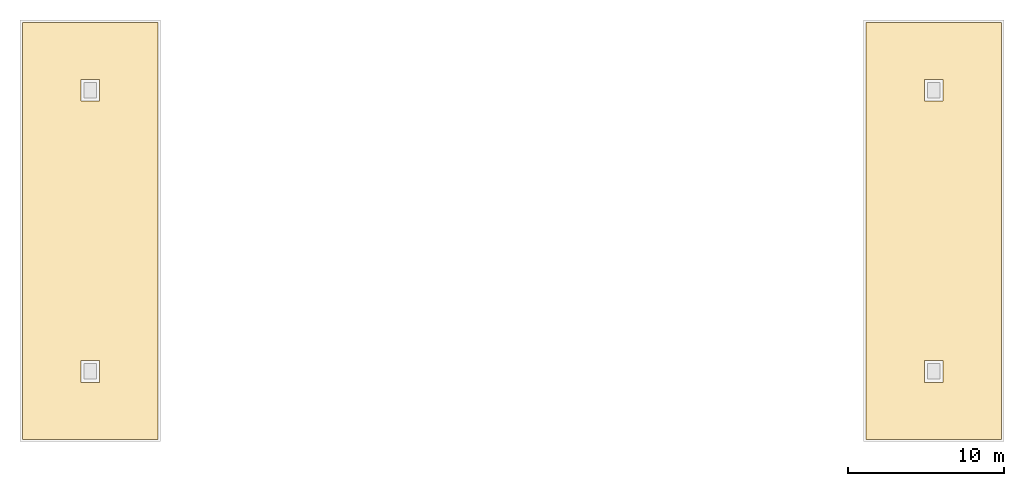
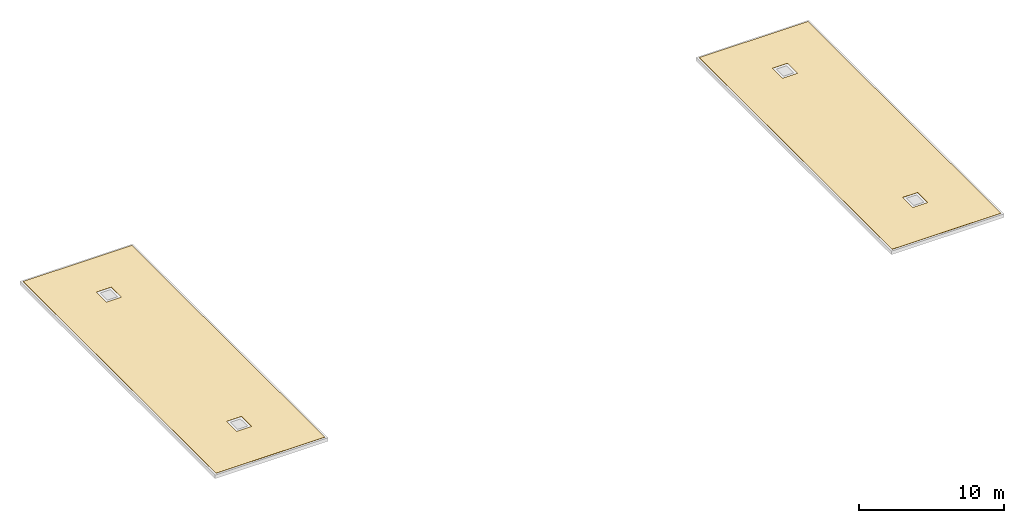
# One storey, part 2 of 2: 2 coverings.
"""IFC4 building model written with IfcOpenShell, lengths in metres."""

from ifc_helpers import new_model, si_unit, direction, frame, origin, place, context, subcontext, project, spatial, polyline, outline, extrude, material, layer, layer_set, type_object, element, save


model = new_model("IFC4")

# Units and contexts
model_context = context("Model", 3, precision=1e-05, world=origin(), true_north=direction((0.0, 1.0)))
body_context = subcontext(model_context, "Body", "Model", "MODEL_VIEW")
ifc_project = project(units=[si_unit("LENGTHUNIT", "METRE"), si_unit("AREAUNIT", "SQUARE_METRE"), si_unit("VOLUMEUNIT", "CUBIC_METRE"), si_unit("PLANEANGLEUNIT", "RADIAN"), si_unit("MASSUNIT", "GRAM", prefix="KILO")], contexts=[model_context])

# Site, building, storey
site_placement = place(None, origin())
site = spatial("IfcSite", under=ifc_project, at=site_placement, CompositionType="ELEMENT")
building_placement = place(site_placement, origin())
building = spatial("IfcBuilding", under=site, at=building_placement, Name="Azimuth Sports and Learning Centre", CompositionType="ELEMENT")
storey_placement = place(building_placement, frame((0.0, 0.0, 82.5)))
storey = spatial("IfcBuildingStorey", under=building, at=storey_placement, Name="UPPER ROOF", CompositionType="ELEMENT", Elevation=82.5)

# Coverings
ifc_material = material(Name="Bituminous membrane")
ifc_layer = layer(ifc_material, 0.02001953125)
ifc_layer_set = layer_set([ifc_layer], Name="Bituminous membrane")
covering_type = type_object("IfcCoveringType", Name="Roofing membrane 20", PredefinedType="ROOFING", material=ifc_layer_set)
covering_1_placement = place(storey_placement, frame((0.0, 0.0, 0.300048828125)))
element("IfcCovering", 1, at=covering_1_placement, inside=storey, type_object=covering_type, Name="Roofing membrane crown W", PredefinedType="ROOFING", context=body_context, shape_type="SweptSolid", body=[
    extrude(outline(polyline([(54.14990234375, 90.14990234375), (62.85009765625, 90.14990234375), (62.85009765625, 116.85009765625), (54.14990234375, 116.85009765625), (54.14990234375, 90.14990234375)]), holes=[polyline([(57.89990234375, 93.800048828125), (59.10009765625, 93.800048828125), (59.10009765625, 95.199951171875), (57.89990234375, 95.199951171875), (57.89990234375, 93.800048828125)]), polyline([(57.89990234375, 111.800048828125), (59.10009765625, 111.800048828125), (59.10009765625, 113.199951171875), (57.89990234375, 113.199951171875), (57.89990234375, 111.800048828125)])]), origin(), (0.0, 0.0, 1.0), 0.02001953125),
])
covering_2_placement = place(storey_placement, frame((0.0, 0.0, 0.300048828125)))
element("IfcCovering", 2, at=covering_2_placement, inside=storey, type_object=covering_type, Name="Roofing membrane crown E", PredefinedType="ROOFING", context=body_context, shape_type="SweptSolid", body=[
    extrude(outline(polyline([(108.14990234375, 90.14990234375), (116.85009765625, 90.14990234375), (116.85009765625, 116.85009765625), (108.14990234375, 116.85009765625), (108.14990234375, 90.14990234375)]), holes=[polyline([(111.89990234375, 93.800048828125), (113.10009765625, 93.800048828125), (113.10009765625, 95.199951171875), (111.89990234375, 95.199951171875), (111.89990234375, 93.800048828125)]), polyline([(111.89990234375, 111.800048828125), (113.10009765625, 111.800048828125), (113.10009765625, 113.199951171875), (111.89990234375, 113.199951171875), (111.89990234375, 111.800048828125)])]), origin(), (0.0, 0.0, 1.0), 0.02001953125),
])

save(model, "model.ifc")
